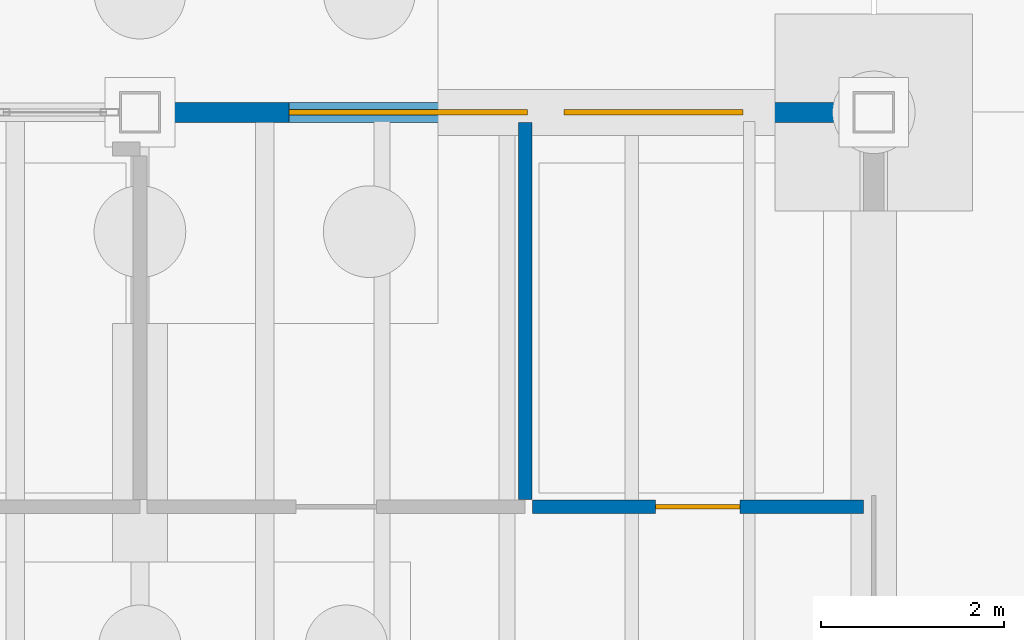
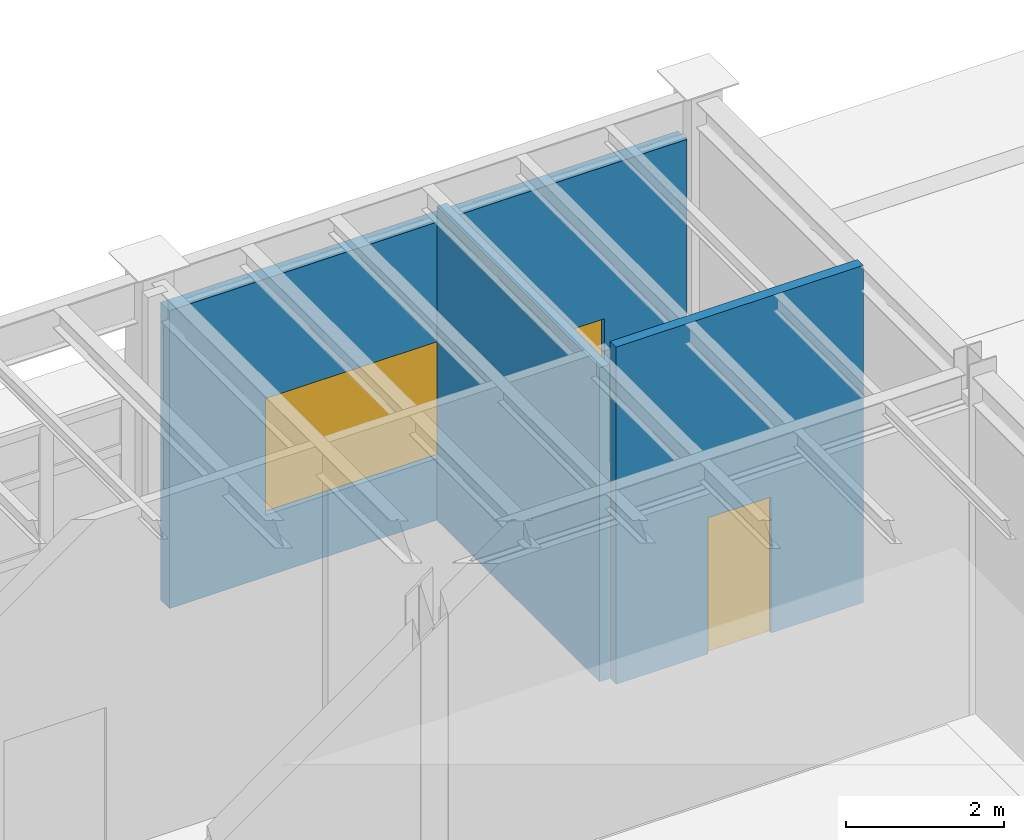
# One storey, part 66 of 86: 3 walls, 2 windows, 1 door, 3 openings.
"""IFC4 building model written with IfcOpenShell, lengths in metres."""

import ifcopenshell
import ifcopenshell.guid

model = None  # the IFC model being written
_history = None  # IfcOwnerHistory: only IFC2X3 demands one
_inside = {}  # id of a spatial element -> (the spatial element, [elements in it])
_under = {}  # id of a project, library or spatial element -> (it, [spatial elements below it])
_declared = {}  # id of a project -> (the project, [libraries it declares])
_typed = {}  # id of a type object -> (the type object, [elements of that type])
_made_of = {}  # id of a material, layer set ... -> (it, [elements and type objects made of it])


def new_model(schema):
    """Start an empty IFC model of exactly this schema.

    Asked for "IFC4X3", IfcOpenShell would pick the latest addendum, in which some entities
    have other attributes; the version numbers below select the first issue.
    IFC2X3 requires an IfcOwnerHistory on every rooted entity: one is made here for all.
    """
    global model, _history
    if schema == "IFC4X3":
        model = ifcopenshell.file(schema_version=(4, 3, 0, 0))
    else:
        model = ifcopenshell.file(schema=schema)
    _inside.clear()
    _under.clear()
    _declared.clear()
    _typed.clear()
    _made_of.clear()
    _history = None
    if model.schema == "IFC2X3":
        org = make("IfcOrganization", Name="unknown")
        user = make(
            "IfcPersonAndOrganization",
            ThePerson=make("IfcPerson", FamilyName="unknown"),
            TheOrganization=org,
        )
        app = make(
            "IfcApplication",
            ApplicationDeveloper=org,
            Version="unknown",
            ApplicationFullName="unknown",
            ApplicationIdentifier="unknown",
        )
        _history = make(
            "IfcOwnerHistory",
            OwningUser=user,
            OwningApplication=app,
            ChangeAction="ADDED",
            CreationDate=0,
        )
    return model


def make(cls, **values):
    """One entity of the class cls with the attributes given. An attribute that is None is left unset."""
    return model.create_entity(
        cls, **{name: value for name, value in values.items() if value is not None}
    )


def rooted(cls, **values):
    """An entity with a GlobalId (a new one), such as an element, a storey or a relation."""
    return make(cls, GlobalId=ifcopenshell.guid.new(), OwnerHistory=_history, **values)


def si_unit(unit_type, name, prefix=None):
    """IfcSIUnit, for example si_unit("LENGTHUNIT", "METRE", prefix="MILLI")."""
    return make("IfcSIUnit", UnitType=unit_type, Prefix=prefix, Name=name)


def assignment(units):
    """IfcUnitAssignment: the units of a project."""
    return None if units is None else make("IfcUnitAssignment", Units=units)


def point(xyz):
    """IfcCartesianPoint."""
    return None if xyz is None else make("IfcCartesianPoint", Coordinates=xyz)


def direction(xyz):
    """IfcDirection."""
    return None if xyz is None else make("IfcDirection", DirectionRatios=xyz)


def frame(location, z_axis=None, x_axis=None):
    """IfcAxis2Placement3D, a coordinate frame: its origin and axes. An axis left out is left unset."""
    return make(
        "IfcAxis2Placement3D",
        Location=point(location),
        Axis=direction(z_axis),
        RefDirection=direction(x_axis),
    )


def frame_2d(location, x_axis=None):
    """IfcAxis2Placement2D, a coordinate frame in the plane: its origin and x axis."""
    return make(
        "IfcAxis2Placement2D", Location=point(location), RefDirection=direction(x_axis)
    )


def origin():
    """The frame at (0, 0, 0) with its axes left unset."""
    return frame((0.0, 0.0, 0.0))


def place(relative_to, where):
    """IfcLocalPlacement: puts the frame where relative to a parent placement (None: the world)."""
    return make(
        "IfcLocalPlacement", PlacementRelTo=relative_to, RelativePlacement=where
    )


def context(
    kind, dimensions, precision=None, world=None, true_north=None, identifier=None
):
    """IfcGeometricRepresentationContext, for example the 3D "Model" context."""
    return make(
        "IfcGeometricRepresentationContext",
        ContextIdentifier=identifier,
        ContextType=kind,
        CoordinateSpaceDimension=dimensions,
        Precision=precision,
        WorldCoordinateSystem=world,
        TrueNorth=true_north,
    )


def subcontext(parent, identifier, kind, view, scale=None):
    """IfcGeometricRepresentationSubContext, for example "Body" below "Model"."""
    return make(
        "IfcGeometricRepresentationSubContext",
        ContextIdentifier=identifier,
        ContextType=kind,
        ParentContext=parent,
        TargetScale=scale,
        TargetView=view,
    )


def project(units=None, contexts=None):
    """IfcProject with its units and contexts."""
    return rooted(
        "IfcProject",
        Name="project",
        RepresentationContexts=contexts,
        UnitsInContext=assignment(units),
    )


def spatial(cls, under=None, at=None, **own):
    """A site, building, storey or space (cls), placed at a placement, below another one or the project."""
    s = rooted(cls, ObjectPlacement=at, **own)
    if under is not None:
        _under.setdefault(under.id(), (under, []))[1].append(s)
    return s


def profile(cls, at=None, kind="AREA", **sizes):
    """A parametric profile (cls). Its sizes go by their IFC names, for example OverallWidth=200.0."""
    return make(cls, ProfileType=kind, Position=at, **sizes)


def rectangle(**sizes):
    """IfcRectangleProfileDef."""
    return profile("IfcRectangleProfileDef", **sizes)


def extrude(swept, where, along, depth):
    """IfcExtrudedAreaSolid: the profile swept, set in the frame where, extruded along a direction by depth."""
    return make(
        "IfcExtrudedAreaSolid",
        SweptArea=swept,
        Position=where,
        ExtrudedDirection=direction(along),
        Depth=depth,
    )


def shape(context_of_items, identifier, shape_type, items):
    """IfcShapeRepresentation: the items that make up one representation, for example the "Body"."""
    return make(
        "IfcShapeRepresentation",
        ContextOfItems=context_of_items,
        RepresentationIdentifier=identifier,
        RepresentationType=shape_type,
        Items=items,
    )


def material(Name=None, Category=None):
    """IfcMaterial."""
    return make("IfcMaterial", Name=Name, Category=Category)


def layer(
    of_material, thickness, ventilated=None, Name=None, Category=None, Priority=None
):
    """IfcMaterialLayer: one layer of a wall or slab, of a material (None: an air gap)."""
    return make(
        "IfcMaterialLayer",
        Material=of_material,
        LayerThickness=thickness,
        IsVentilated=ventilated,
        Name=Name,
        Category=Category,
        Priority=Priority,
    )


def layer_set(layers, Name=None):
    """IfcMaterialLayerSet."""
    return make("IfcMaterialLayerSet", MaterialLayers=layers, LayerSetName=Name)


def made_of(thing, what):
    """Note that an element or type object is made of a material, layer set ...; save() writes the relation."""
    if what is not None:
        _made_of.setdefault(what.id(), (what, []))[1].append(thing)
    return thing


def type_object(cls, material=None, **own):
    """A type object (cls), such as IfcWallType, which elements share."""
    return made_of(rooted(cls, **own), material)


def element(
    cls,
    number,
    at=None,
    inside=None,
    cuts=None,
    type_object=None,
    material=None,
    context=None,
    identifier="Body",
    shape_type=None,
    held_by="IfcProductDefinitionShape",
    body=None,
    shapes=None,
    **own,
):
    """One element of the class cls, such as IfcWall. Its Tag is "e" and its number.

    at: its placement. inside: the storey or other place that contains it. cuts: it is an
    opening in that element (IfcRelVoidsElement). A single representation is given by context,
    identifier, shape_type and body (its items); several are given by shapes. held_by: the class
    of the entity that holds the representations. save() writes the other relations.
    """
    e = rooted(cls, Tag="e%d" % number, ObjectPlacement=at, **own)
    if body is not None:
        shapes = [shape(context, identifier, shape_type, body)]
    if shapes is not None:
        e.Representation = make(held_by, Representations=shapes)
    if inside is not None:
        _inside.setdefault(inside.id(), (inside, []))[1].append(e)
    if cuts is not None:
        rooted(
            "IfcRelVoidsElement", RelatingBuildingElement=cuts, RelatedOpeningElement=e
        )
    if type_object is not None:
        _typed.setdefault(type_object.id(), (type_object, []))[1].append(e)
    return made_of(e, material)


def fill(opening, filler):
    """IfcRelFillsElement: the door or window that sits in an opening."""
    return rooted(
        "IfcRelFillsElement",
        RelatingOpeningElement=opening,
        RelatedBuildingElement=filler,
    )


def aggregate(whole, parts):
    """IfcRelAggregates: a whole, such as a stair, and the parts it consists of."""
    return rooted("IfcRelAggregates", RelatingObject=whole, RelatedObjects=parts)


def save(model, path):
    """Write the relations noted so far, then the file.

    IfcRelAggregates (storeys below a building ...), IfcRelContainedInSpatialStructure (elements
    in a storey), IfcRelDefinesByType, IfcRelAssociatesMaterial and IfcRelDeclares: one each for
    every whole, place, type object, material and project.
    """
    for whole, parts in _under.values():
        aggregate(whole, parts)
    for where, things in _inside.values():
        rooted(
            "IfcRelContainedInSpatialStructure",
            RelatedElements=things,
            RelatingStructure=where,
        )
    for kind, things in _typed.values():
        rooted("IfcRelDefinesByType", RelatedObjects=things, RelatingType=kind)
    for what, things in _made_of.values():
        rooted("IfcRelAssociatesMaterial", RelatedObjects=things, RelatingMaterial=what)
    for by, libraries in _declared.values():
        rooted("IfcRelDeclares", RelatingContext=by, RelatedDefinitions=libraries)
    model.write(path)


model = new_model("IFC4")

# Units and contexts
model_context = context("Model", 3, precision=1e-05, world=origin(), true_north=direction((0.0, 1.0)))
body_context = subcontext(model_context, "Body", "Model", "MODEL_VIEW")
ifc_project = project(units=[si_unit("LENGTHUNIT", "METRE"), si_unit("AREAUNIT", "SQUARE_METRE"), si_unit("VOLUMEUNIT", "CUBIC_METRE"), si_unit("PLANEANGLEUNIT", "RADIAN"), si_unit("MASSUNIT", "GRAM", prefix="KILO"), si_unit("THERMODYNAMICTEMPERATUREUNIT", "KELVIN"), si_unit("POWERUNIT", "WATT")], contexts=[model_context])

# Site, building, storey
site_placement = place(None, origin())
site = spatial("IfcSite", under=ifc_project, at=site_placement, CompositionType="ELEMENT")
building_placement = place(site_placement, origin())
building = spatial("IfcBuilding", under=site, at=building_placement, Name="Zhenchuan Central Fire Station", CompositionType="ELEMENT")
storey_placement = place(building_placement, frame((0.0, 0.0, 0.449951171875)))
storey = spatial("IfcBuildingStorey", under=building, at=storey_placement, Name="L01", CompositionType="ELEMENT", Elevation=0.449951171875)

# Wall, openings, windows
ifc_material_1 = material(Name="Precast concrete C40/50", Category="concrete")
ifc_layer_1 = layer(ifc_material_1, 0.219970703125, Name="Precast concrete C40/50", Category="concrete")
ifc_layer_set_1 = layer_set([ifc_layer_1], Name="Precast concrete C40/50")
wall_type_1 = type_object("IfcWallType", Name="EW-PRC220", PredefinedType="SOLIDWALL", material=ifc_layer_set_1)
wall_1_placement = place(storey_placement, frame((48.22509765625, 56.5, 0.0), z_axis=(0.0, 0.0, 1.0), x_axis=(1.0, 0.0, 0.0)))
wall_1 = element("IfcWall", 1, at=wall_1_placement, inside=storey, type_object=wall_type_1, Name="EW-L01-V3N-6", PredefinedType="SOLIDWALL", context=body_context, shape_type="SweptSolid", body=[
    extrude(rectangle(XDim=7.5498046875, YDim=0.219970703125, at=frame_2d((3.77490234375, 0.0))), origin(), (0.0, 0.0, 1.0), 4.593994140625),
])
opening_1_placement = place(wall_1_placement, frame((1.39990234375, 0.0, 0.949951171875)))
opening_1 = element("IfcOpeningElement", 2, at=opening_1_placement, cuts=wall_1, Name="Opening W-29", PredefinedType="OPENING", context=body_context, shape_type="SweptSolid", body=[
    extrude(rectangle(XDim=2.60009765625, YDim=1.800048828125, at=frame_2d((1.300048828125, 0.89990234375))), frame((0.0, 0.119873046875, 0.0), z_axis=(0.0, -1.0, 0.0), x_axis=(1.0, 0.0, 0.0)), (0.0, 0.0, 1.0), 0.239990234375),
])
opening_2_placement = place(wall_1_placement, frame((4.39990234375, 0.0, 0.949951171875)))
opening_2 = element("IfcOpeningElement", 3, at=opening_2_placement, cuts=wall_1, Name="Opening W-44", PredefinedType="OPENING", context=body_context, shape_type="SweptSolid", body=[
    extrude(rectangle(XDim=1.949951171875, YDim=1.300048828125, at=frame_2d((0.97509765625, 0.64990234375))), frame((0.0, 0.119873046875, 0.0), z_axis=(0.0, -1.0, 0.0), x_axis=(1.0, 0.0, 0.0)), (0.0, 0.0, 1.0), 0.239990234375),
])
ifc_material_2 = material(Name="Laminated low-E double glazing in aluminium frame", Category="aluminium")
window_type_1 = type_object("IfcWindowType", Name="WN-29", PartitioningType="SINGLE_PANEL", PredefinedType="WINDOW", material=ifc_material_2)
window_1_placement = place(opening_1_placement, origin())
window_1 = element("IfcWindow", 4, at=window_1_placement, inside=storey, type_object=window_type_1, Name="Exterior Window 0060", OverallHeight=1.800048828125, OverallWidth=2.60009765625, PartitioningType="SINGLE_PANEL", PredefinedType="WINDOW", context=body_context, shape_type="SweptSolid", body=[
    extrude(rectangle(XDim=2.60009765625, YDim=1.800048828125, at=frame_2d((1.300048828125, 0.89990234375))), frame((0.0, 0.030029296875, 0.0), z_axis=(0.0, -1.0, 0.0), x_axis=(1.0, 0.0, 0.0)), (0.0, 0.0, 1.0), 0.06005859375),
])
fill(opening_1, window_1)
window_type_2 = type_object("IfcWindowType", Name="WN-44", PartitioningType="SINGLE_PANEL", PredefinedType="WINDOW", material=ifc_material_2)
window_2_placement = place(opening_2_placement, origin())
window_2 = element("IfcWindow", 5, at=window_2_placement, inside=storey, type_object=window_type_2, Name="Exterior Window 0061", OverallHeight=1.300048828125, OverallWidth=1.949951171875, PartitioningType="SINGLE_PANEL", PredefinedType="WINDOW", context=body_context, shape_type="SweptSolid", body=[
    extrude(rectangle(XDim=1.949951171875, YDim=1.300048828125, at=frame_2d((0.97509765625, 0.64990234375))), frame((0.0, 0.030029296875, 0.0), z_axis=(0.0, -1.0, 0.0), x_axis=(1.0, 0.0, 0.0)), (0.0, 0.0, 1.0), 0.06005859375),
])
fill(opening_2, window_2)

# Wall
ifc_material_3 = material(Name="Autoclaved aerated concrete blockwork", Category="masonry")
ifc_layer_2 = layer(ifc_material_3, 0.14990234375, Name="Autoclaved aerated concrete blockwork", Category="masonry")
ifc_layer_set_2 = layer_set([ifc_layer_2], Name="Autoclaved aerated concrete blockwork")
wall_type_2 = type_object("IfcWallType", Name="IW-BLK150", PredefinedType="PARTITIONING", material=ifc_layer_set_2)
wall_2_placement = place(storey_placement, frame((52.199951171875, 52.278076171875, 0.0), z_axis=(0.0, 0.0, 1.0), x_axis=(0.0, 1.0, 0.0)))
element("IfcWall", 6, at=wall_2_placement, inside=storey, type_object=wall_type_2, Name="Decontamination Shower Room E Partition", PredefinedType="PARTITIONING", context=body_context, shape_type="SweptSolid", body=[
    extrude(rectangle(XDim=4.10888671875, YDim=0.14990234375, at=frame_2d((2.054443359375, 0.0))), origin(), (0.0, 0.0, 1.0), 4.843994140625),
])

# Wall, opening, door
wall_3_placement = place(storey_placement, frame((52.278076171875, 52.199951171875, 0.0), z_axis=(0.0, 0.0, 1.0), x_axis=(1.0, 0.0, 0.0)))
wall_3 = element("IfcWall", 7, at=wall_3_placement, inside=storey, type_object=wall_type_2, Name="Crew Turnout Accessible WC S Partition", PredefinedType="PARTITIONING", context=body_context, shape_type="SweptSolid", body=[
    extrude(rectangle(XDim=3.60888671875, YDim=0.14990234375, at=frame_2d((1.804443359375, 0.0))), origin(), (0.0, 0.0, 1.0), 5.199951171875),
])
opening_3_placement = place(wall_3_placement, frame((1.344482421875, 0.0, 0.0)))
opening_3 = element("IfcOpeningElement", 8, at=opening_3_placement, cuts=wall_3, Name="Opening D-086", PredefinedType="OPENING", context=body_context, shape_type="SweptSolid", body=[
    extrude(rectangle(XDim=0.919921875, YDim=2.10009765625, at=frame_2d((0.4599609375, 1.050048828125))), frame((0.0, 0.0849609375, 0.0), z_axis=(0.0, -1.0, 0.0), x_axis=(1.0, 0.0, 0.0)), (0.0, 0.0, 1.0), 0.169921875),
])
ifc_material_4 = material(Name="Moisture-resistant accessible WC door")
door_type = type_object("IfcDoorType", Name="ID-WC-092x210", OperationType="NOTDEFINED", PredefinedType="DOOR", material=ifc_material_4)
door_placement = place(opening_3_placement, origin())
door = element("IfcDoor", 9, at=door_placement, inside=storey, type_object=door_type, Name="Crew Turnout Accessible WC Door", OperationType="SINGLE_SWING_RIGHT", OverallHeight=2.10009765625, OverallWidth=0.919921875, PredefinedType="DOOR", context=body_context, shape_type="SweptSolid", body=[
    extrude(rectangle(XDim=0.919921875, YDim=2.10009765625, at=frame_2d((0.4599609375, 1.050048828125))), frame((0.0, 0.02490234375, 0.0), z_axis=(0.0, -1.0, 0.0), x_axis=(1.0, 0.0, 0.0)), (0.0, 0.0, 1.0), 0.050048828125),
])
fill(opening_3, door)

save(model, "model.ifc")
